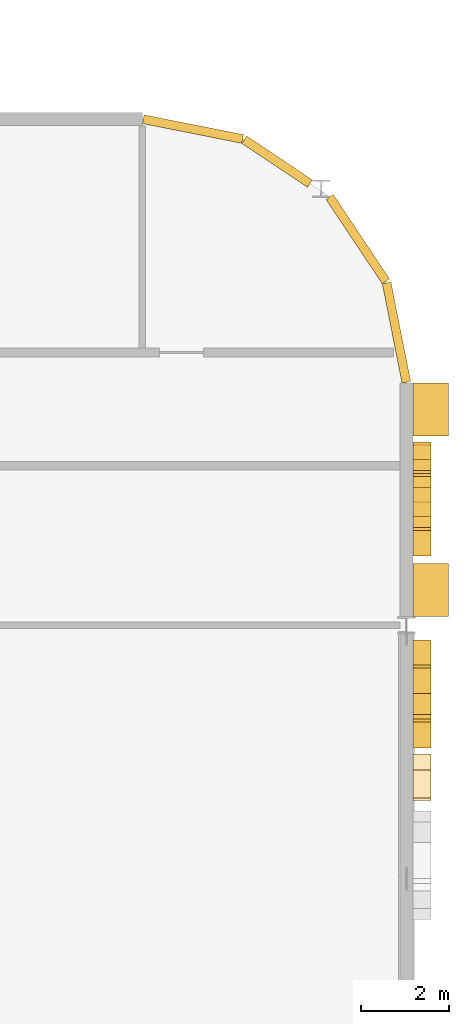
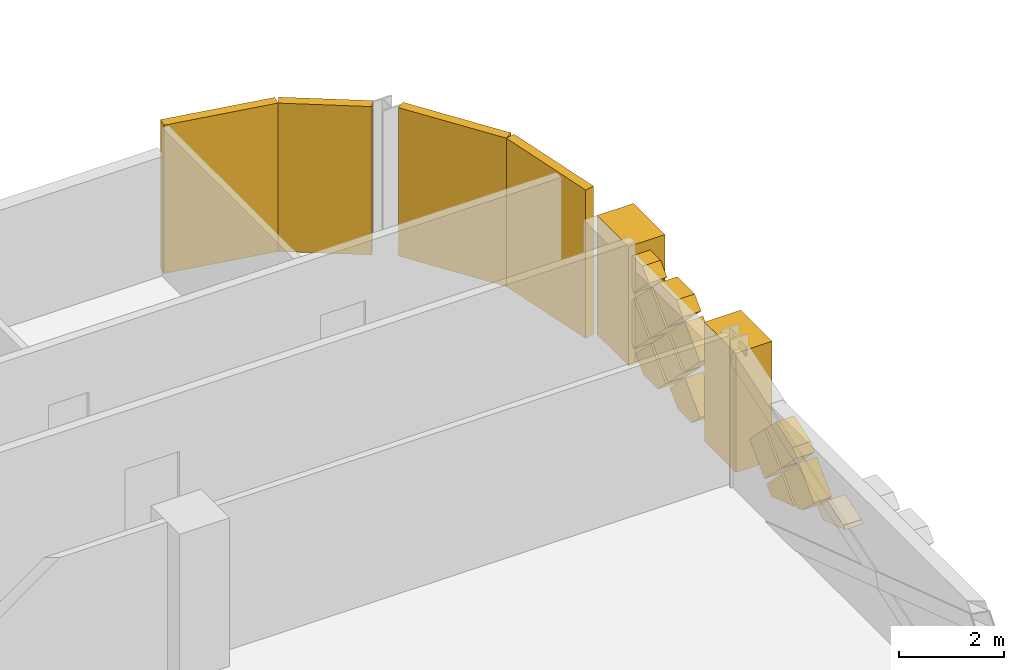
# One storey, part 28 of 28: 19 coverings.
"""IFC4 building model written with IfcOpenShell, lengths in metres."""

from ifc_helpers import new_model, si_unit, direction, frame, origin, origin_2d, place, context, subcontext, project, spatial, polyline, rectangle, outline, extrude, material, layer, layer_set, type_object, element, save


model = new_model("IFC4")

# Units and contexts
model_context = context("Model", 3, precision=1e-05, world=origin(), true_north=direction((0.0, 1.0)))
body_context = subcontext(model_context, "Body", "Model", "MODEL_VIEW")
ifc_project = project(units=[si_unit("LENGTHUNIT", "METRE"), si_unit("AREAUNIT", "SQUARE_METRE"), si_unit("VOLUMEUNIT", "CUBIC_METRE"), si_unit("PLANEANGLEUNIT", "RADIAN"), si_unit("MASSUNIT", "GRAM", prefix="KILO")], contexts=[model_context])

# Site, building, storey
site_placement = place(None, origin())
site = spatial("IfcSite", under=ifc_project, at=site_placement, CompositionType="ELEMENT")
building_placement = place(site_placement, origin())
building = spatial("IfcBuilding", under=site, at=building_placement, Name="Mahtab Terrace Research Tower", CompositionType="ELEMENT")
storey_placement = place(building_placement, frame((0.0, 0.0, 193.89990234375)))
storey = spatial("IfcBuildingStorey", under=building, at=storey_placement, Name="L46", CompositionType="ELEMENT", Elevation=193.89990234375)

# Coverings
ifc_material_1 = material(Name="Black aluminium cladding panel", Category="aluminium")
ifc_layer_1 = layer(ifc_material_1, 0.199951171875)
ifc_layer_set_1 = layer_set([ifc_layer_1], Name="Black metal corner cladding 200")
covering_type_1 = type_object("IfcCoveringType", Name="Black metal corner cladding 200", PredefinedType="CLADDING", material=ifc_layer_set_1)
covering_1_placement = place(storey_placement, frame((52.89306640625, 20.26953125, 0.0), z_axis=(0.0, 0.0, 1.0), x_axis=(-0.555291490808, 0.831655794326, 0.0)))
element("IfcCovering", 1, at=covering_1_placement, inside=storey, type_object=covering_type_1, Name="Corner cladding L46 0", PredefinedType="CLADDING", context=body_context, shape_type="SweptSolid", body=[
    extrude(rectangle(XDim=2.30126953125, YDim=0.199951171875, at=origin_2d()), origin(), (0.0, 0.0, 1.0), 3.4599609375),
])
covering_2_placement = place(storey_placement, frame((51.059814453125, 22.032958984375, 0.0), z_axis=(0.0, 0.0, 1.0), x_axis=(-0.831655794326, 0.555291490808, 0.0)))
element("IfcCovering", 2, at=covering_2_placement, inside=storey, type_object=covering_type_1, Name="Corner cladding L46 1", PredefinedType="CLADDING", context=body_context, shape_type="SweptSolid", body=[
    extrude(rectangle(XDim=1.797119140625, YDim=0.199951171875, at=origin_2d()), origin(), (0.0, 0.0, 1.0), 3.4599609375),
])
for number, where, z_axis, x_axis, name in (
    (3, (49.14794921875, 22.771484375, 0.0), (0.0, 0.0, 1.0), (-0.980760981187, 0.195212442692, 0.0), "Corner cladding L46 2"),
    (4, (53.771484375, 18.14794921875, 0.0), (0.0, 0.0, 1.0), (-0.195212442692, 0.980760981187, 0.0), "Corner cladding L46 39"),
):
    element("IfcCovering", number, at=place(storey_placement, frame(where, z_axis=z_axis, x_axis=x_axis)), inside=storey, type_object=covering_type_1, Name=name, PredefinedType="CLADDING", context=body_context, shape_type="SweptSolid", body=[
        extrude(rectangle(XDim=2.30126953125, YDim=0.199951171875, at=origin_2d()), origin(), (0.0, 0.0, 1.0), 3.4599609375),
    ])
ifc_material_2 = material(Name="Bronze anodised aluminium", Category="aluminium")
ifc_layer_2 = layer(ifc_material_2, 0.39990234375)
ifc_layer_set_2 = layer_set([ifc_layer_2], Name="Mashrabiya relief panel 400")
covering_type_2 = type_object("IfcCoveringType", Name="Mashrabiya relief panel 400", PredefinedType="CLADDING", material=ifc_layer_set_2)
covering_3_placement = place(storey_placement, frame((54.14990234375, 8.580078125, 1.10009765625), z_axis=(-1.0, 0.0, 0.0), x_axis=(0.0, -0.707106781187, -0.707106781187)))
element("IfcCovering", 5, at=covering_3_placement, inside=storey, type_object=covering_type_2, Name="Mashrabiya lattice cell L46 E37.9", PredefinedType="CLADDING", context=body_context, shape_type="SweptSolid", body=[
    extrude(outline(polyline([(0.0, 0.0), (0.26585557691095785, 0.0), (0.6787948885804456, 0.8203543516109555), (0.5897160069661246, 0.8203543516109556), (0.0, 0.5234247462298858), (0.0, 0.0)])), origin(), (0.0, 0.0, -1.0), 0.39990234375),
])
covering_4_placement = place(storey_placement, frame((54.14990234375, 8.719970703125, 1.10009765625), z_axis=(-1.0, 0.0, 0.0), x_axis=(0.0, 0.707106781187, 0.707106781187)))
element("IfcCovering", 6, at=covering_4_placement, inside=storey, type_object=covering_type_2, Name="Mashrabiya lattice cell L46 E37.10", PredefinedType="CLADDING", context=body_context, shape_type="SweptSolid", body=[
    extrude(outline(polyline([(0.0, 0.0), (0.8203543516109556, 0.0), (0.820181718119455, 0.820181718119455), (0.09753792269785144, 0.820181718119455), (0.0, 0.6280406420792627), (0.0, 0.0)])), origin(), (0.0, 0.0, -1.0), 0.39990234375),
])
covering_5_placement = place(storey_placement, frame((54.14990234375, 9.949951171875, 1.030029296875), z_axis=(-1.0, 0.0, 0.0), x_axis=(0.0, 0.707255598772, -0.706957932274)))
element("IfcCovering", 7, at=covering_5_placement, inside=storey, type_object=covering_type_2, Name="Mashrabiya lattice cell L46 E37.11", PredefinedType="CLADDING", context=body_context, shape_type="SweptSolid", body=[
    extrude(outline(polyline([(0.0, 0.0), (0.8201817362875763, 0.0), (0.8201269412340263, 0.2603312994162516), (-0.00014163867290323262, 0.6729253349632287), (0.0, 0.0)])), origin(), (0.0, 0.0, -1.0), 0.39990234375),
])
covering_6_placement = place(storey_placement, frame((54.14990234375, 10.530029296875, 1.75), z_axis=(-1.0, 0.0, 0.0), x_axis=(0.0, -0.707255598772, -0.706957932274)))
element("IfcCovering", 8, at=covering_6_placement, inside=storey, type_object=covering_type_2, Name="Mashrabiya lattice cell L46 E37.12", PredefinedType="CLADDING", context=body_context, shape_type="SweptSolid", body=[
    extrude(outline(polyline([(0.0, 0.0), (0.8201817362875763, 0.0), (0.8203543334390104, 0.8200090664636573), (0.601282473913699, 0.8202278106429486), (-6.366109669742048e-05, 0.5177278658782443), (0.0, 0.0)])), origin(), (0.0, 0.0, -1.0), 0.39990234375),
])
covering_7_placement = place(storey_placement, frame((54.14990234375, 10.60009765625, 0.52001953125), z_axis=(-1.0, 0.0, 0.0), x_axis=(0.0, -0.707106781187, 0.707106781187)))
element("IfcCovering", 9, at=covering_7_placement, inside=storey, type_object=covering_type_2, Name="Mashrabiya lattice cell L46 E37.13", PredefinedType="CLADDING", context=body_context, shape_type="SweptSolid", body=[
    extrude(outline(polyline([(0.0, 0.0), (0.8203543516109556, 0.0), (0.8203543516109556, 0.8203543516109556), (0.021233919454576533, 0.820181718119455), (0.0001726334915006511, 0.7991204321563791), (0.0, 0.0)])), origin(), (0.0, 0.0, -1.0), 0.39990234375),
])
covering_8_placement = place(storey_placement, frame((54.14990234375, 13.070068359375, 0.4501953125), z_axis=(-1.0, 0.0, 0.0), x_axis=(0.0, 0.707106781187, 0.707106781187)))
element("IfcCovering", 10, at=covering_8_placement, inside=storey, type_object=covering_type_2, Name="Mashrabiya lattice cell L46 E38.1", PredefinedType="CLADDING", context=body_context, shape_type="SweptSolid", body=[
    extrude(outline(polyline([(0.0, 0.0), (0.8200090846279543, 0.0), (0.820181718119455, 0.820181718119455), (0.3746146765563497, 0.8203543516109556), (-0.00017263349150062335, 0.44556704156310534), (0.0, 0.0)])), origin(), (0.0, 0.0, -1.0), 0.39990234375),
])
covering_9_placement = place(storey_placement, frame((54.14990234375, 13.64990234375, 2.330078125), z_axis=(-1.0, 0.0, 0.0), x_axis=(0.0, 0.707106781187, -0.707106781187)))
element("IfcCovering", 11, at=covering_9_placement, inside=storey, type_object=covering_type_2, Name="Mashrabiya lattice cell L46 E38.2", PredefinedType="CLADDING", context=body_context, shape_type="SweptSolid", body=[
    extrude(outline(polyline([(0.0, 0.0), (0.8203543516109556, 0.0), (0.820181718119455, 0.820181718119455), (0.0001726334915006511, 0.820181718119455), (0.0, 0.0)])), origin(), (0.0, 0.0, -1.0), 0.39990234375),
])
covering_10_placement = place(storey_placement, frame((54.14990234375, 14.300048828125, 1.68017578125), z_axis=(-1.0, 0.0, 0.0), x_axis=(0.0, 0.706957932274, -0.707255598772)))
element("IfcCovering", 12, at=covering_10_placement, inside=storey, type_object=covering_type_2, Name="Mashrabiya lattice cell L46 E38.3", PredefinedType="CLADDING", context=body_context, shape_type="SweptSolid", body=[
    extrude(outline(polyline([(0.0, 0.0), (0.8201817362875763, 0.0), (0.8205270032629295, 0.8201816636150915), (0.00017266982391900276, 0.8203543334390104), (0.0, 0.0)])), origin(), (0.0, 0.0, -1.0), 0.39990234375),
])
covering_11_placement = place(storey_placement, frame((54.14990234375, 14.8798828125, 2.400146484375), z_axis=(-1.0, 0.0, 0.0), x_axis=(0.0, -0.706957932274, -0.707255598772)))
element("IfcCovering", 13, at=covering_11_placement, inside=storey, type_object=covering_type_2, Name="Mashrabiya lattice cell L46 E38.4", PredefinedType="CLADDING", context=body_context, shape_type="SweptSolid", body=[
    extrude(outline(polyline([(0.0, 0.0), (0.8201817362875763, 0.0), (0.8200090664636573, 0.8203543334390104), (0.47059888740630096, 0.8202807888843784), (-0.0002461417060663218, 0.3492375092334373), (0.0, 0.0)])), origin(), (0.0, 0.0, -1.0), 0.39990234375),
])
covering_12_placement = place(storey_placement, frame((54.14990234375, 14.3701171875, 0.4501953125), z_axis=(-1.0, 0.0, 0.0), x_axis=(0.0, 0.707106781187, 0.707106781187)))
element("IfcCovering", 14, at=covering_12_placement, inside=storey, type_object=covering_type_2, Name="Mashrabiya lattice cell L46 E38.5", PredefinedType="CLADDING", context=body_context, shape_type="SweptSolid", body=[
    extrude(outline(polyline([(0.0, 0.0), (0.8200090846279543, 0.0), (0.820181718119455, 0.820181718119455), (0.3746146765563497, 0.8203543516109556), (-0.00017263349150062335, 0.44556704156310534), (0.0, 0.0)])), origin(), (0.0, 0.0, -1.0), 0.39990234375),
])
covering_13_placement = place(storey_placement, frame((54.14990234375, 14.949951171875, 2.330078125), z_axis=(-1.0, 0.0, 0.0), x_axis=(0.0, 0.707106781187, -0.707106781187)))
element("IfcCovering", 15, at=covering_13_placement, inside=storey, type_object=covering_type_2, Name="Mashrabiya lattice cell L46 E38.6", PredefinedType="CLADDING", context=body_context, shape_type="SweptSolid", body=[
    extrude(outline(polyline([(0.0, 0.0), (0.8203543516109556, 0.0), (0.820181718119455, 0.820181718119455), (0.0001726334915006511, 0.820181718119455), (0.0, 0.0)])), origin(), (0.0, 0.0, -1.0), 0.39990234375),
])
covering_14_placement = place(storey_placement, frame((54.14990234375, 15.60009765625, 0.52001953125), z_axis=(-1.0, 0.0, 0.0), x_axis=(0.0, -0.707106781187, 0.707106781187)))
element("IfcCovering", 16, at=covering_14_placement, inside=storey, type_object=covering_type_2, Name="Mashrabiya lattice cell L46 E38.7", PredefinedType="CLADDING", context=body_context, shape_type="SweptSolid", body=[
    extrude(outline(polyline([(0.0, 0.0), (0.8203543516109556, 0.0), (0.8203543516109556, 0.8203543516109556), (0.7283407006411241, 0.820181718119455), (0.00017263349150062335, 0.09201365096983151), (0.0, 0.0)])), origin(), (0.0, 0.0, -1.0), 0.39990234375),
])
covering_15_placement = place(storey_placement, frame((54.14990234375, 15.60009765625, 1.820068359375), z_axis=(-1.0, 0.0, 0.0), x_axis=(0.0, -0.707106781187, 0.707106781187)))
element("IfcCovering", 17, at=covering_15_placement, inside=storey, type_object=covering_type_2, Name="Mashrabiya lattice cell L46 E38.8", PredefinedType="CLADDING", context=body_context, shape_type="SweptSolid", body=[
    extrude(outline(polyline([(0.0, 0.0), (0.8203543516109556, 0.0), (0.8203543516109556, 0.3494101867972589), (0.5389617604649418, 0.6308027779432727), (0.0, 0.09184101747833089), (0.0, 0.0)])), origin(), (0.0, 0.0, -1.0), 0.39990234375),
])
ifc_material_3 = material(Name="Glazed ceramic tile cladding", Category="masonry")
ifc_layer_3 = layer(ifc_material_3, 0.800048828125)
ifc_layer_set_3 = layer_set([ifc_layer_3], Name="Pishtaq frame pier 800")
covering_type_3 = type_object("IfcCoveringType", Name="Pishtaq frame pier 800", PredefinedType="CLADDING", material=ifc_layer_set_3)
for number, where, z_axis, x_axis, name in (
    (18, (54.550048828125, 12.300048828125, 0.0), (0.0, 0.0, 1.0), (0.0, 1.0, 0.0), "Pishtaq frame pier 38a"),
    (19, (54.550048828125, 16.39990234375, 0.0), (0.0, 0.0, 1.0), (0.0, 1.0, 0.0), "Pishtaq frame pier 38b"),
):
    element("IfcCovering", number, at=place(storey_placement, frame(where, z_axis=z_axis, x_axis=x_axis)), inside=storey, type_object=covering_type_3, Name=name, PredefinedType="CLADDING", context=body_context, shape_type="SweptSolid", body=[
        extrude(rectangle(XDim=1.199951171875, YDim=0.800048828125, at=origin_2d()), origin(), (0.0, 0.0, 1.0), 2.781982421875),
    ])

save(model, "model.ifc")
